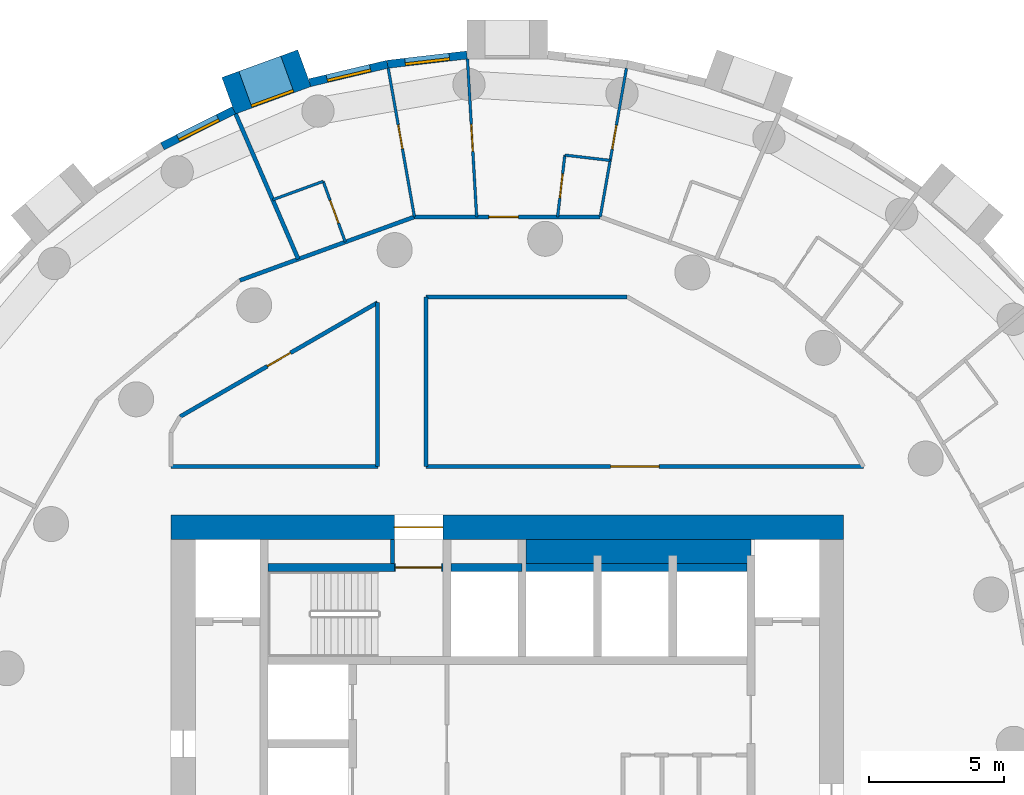
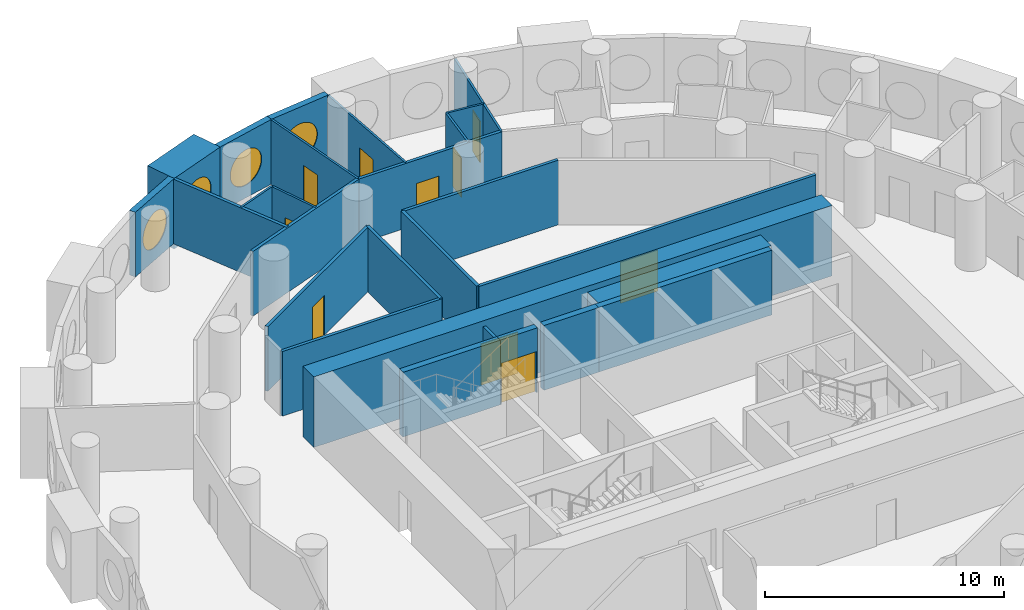
# One storey, part 6 of 9: 28 walls, 10 doors, 4 windows, 14 openings.
"""IFC4 building model written with IfcOpenShell, lengths in metres."""

from ifc_helpers import new_model, si_unit, direction, frame, frame_2d, origin, origin_2d, place, context, subcontext, project, spatial, rectangle, circle, extrude, material, layer, layer_set, type_object, element, fill, save


model = new_model("IFC4")

# Units and contexts
model_context = context("Model", 3, precision=1e-05, world=origin(), true_north=direction((0.0, 1.0)))
body_context = subcontext(model_context, "Body", "Model", "MODEL_VIEW")
ifc_project = project(units=[si_unit("LENGTHUNIT", "METRE"), si_unit("AREAUNIT", "SQUARE_METRE"), si_unit("VOLUMEUNIT", "CUBIC_METRE"), si_unit("PLANEANGLEUNIT", "RADIAN"), si_unit("MASSUNIT", "GRAM", prefix="KILO")], contexts=[model_context])

# Site, building, storey
site_placement = place(None, origin())
site = spatial("IfcSite", under=ifc_project, at=site_placement, CompositionType="ELEMENT")
building_placement = place(site_placement, origin())
building = spatial("IfcBuilding", under=site, at=building_placement, Name="Tracery Tower", CompositionType="ELEMENT")
storey_placement = place(building_placement, frame((0.0, 0.0, 165.60009765625)))
storey = spatial("IfcBuildingStorey", under=building, at=storey_placement, Name="L42", CompositionType="ELEMENT", Elevation=165.60009765625)

# Walls
ifc_material_1 = material(Name="Plasterboard on steel studs", Category="steel")
ifc_layer_1 = layer(ifc_material_1, 0.14990234375)
ifc_layer_set_1 = layer_set([ifc_layer_1], Name="Core room partition 150")
wall_type_1 = type_object("IfcWallType", Name="Core room partition 150", PredefinedType="SOLIDWALL", material=ifc_layer_set_1)
wall_1_placement = place(storey_placement, frame((-4.27490234375, 6.699951171875, 0.0), z_axis=(0.0, 0.0, 1.0), x_axis=(0.0, 1.0, 0.0)))
element("IfcWall", 1, at=wall_1_placement, inside=storey, type_object=wall_type_1, Name="L42 F N room", PredefinedType="SOLIDWALL", context=body_context, shape_type="SweptSolid", body=[
    extrude(rectangle(XDim=0.900146484375, YDim=0.14990234375, at=frame_2d((0.4501953125, 0.0))), origin(), (0.0, 0.0, 1.0), 3.2998046875),
])
ifc_material_2 = material(Name="Concrete C50/60", Category="concrete")
ifc_layer_2 = layer(ifc_material_2, 0.89990234375)
ifc_layer_set_2 = layer_set([ifc_layer_2], Name="Core strip wall 900 C50")
wall_type_2 = type_object("IfcWallType", Name="Core strip wall 900 C50", PredefinedType="SOLIDWALL", material=ifc_layer_set_2)
wall_2_placement = place(storey_placement, frame((0.699951171875, 7.14990234375, 0.0), z_axis=(0.0, 0.0, 1.0), x_axis=(1.0, 0.0, 0.0)))
element("IfcWall", 2, at=wall_2_placement, inside=storey, type_object=wall_type_2, Name="L42 F thick N E", PredefinedType="SOLIDWALL", context=body_context, shape_type="SweptSolid", body=[
    extrude(rectangle(XDim=8.35009765625, YDim=0.89990234375, at=frame_2d((4.175048828125, 0.0))), origin(), (0.0, 0.0, 1.0), 3.2998046875),
])

# Wall, opening, door
ifc_material_3 = material(Name="Concrete C50/60", Category="concrete")
ifc_layer_3 = layer(ifc_material_3, 0.89990234375)
ifc_layer_set_3 = layer_set([ifc_layer_3], Name="Core wall 900 C50")
wall_type_3 = type_object("IfcWallType", Name="Core wall 900 C50", PredefinedType="SOLIDWALL", material=ifc_layer_set_3)
wall_3_placement = place(storey_placement, frame((-12.5, 8.050048828125, 0.0), z_axis=(0.0, 0.0, 1.0), x_axis=(1.0, 0.0, 0.0)))
wall_3 = element("IfcWall", 3, at=wall_3_placement, inside=storey, type_object=wall_type_3, Name="L42 outer N", PredefinedType="SOLIDWALL", context=body_context, shape_type="SweptSolid", body=[
    extrude(rectangle(XDim=25.0, YDim=0.89990234375, at=frame_2d((12.5, 0.0))), origin(), (0.0, 0.0, 1.0), 3.599853515625),
])
opening_1_placement = place(wall_3_placement, frame((8.300048828125, 0.0, 0.0)))
opening_1 = element("IfcOpeningElement", 4, at=opening_1_placement, cuts=wall_3, Name="Opening KD13", PredefinedType="OPENING", context=body_context, shape_type="SweptSolid", body=[
    extrude(rectangle(XDim=1.800048828125, YDim=2.10009765625, at=frame_2d((0.89990234375, 1.050048828125))), frame((0.0, 0.449951171875, 0.0), z_axis=(0.0, -1.0, 0.0), x_axis=(1.0, 0.0, 0.0)), (0.0, 0.0, 1.0), 0.89990234375),
])
ifc_material_4 = material(Name="Steel fire door", Category="steel")
door_type_1 = type_object("IfcDoorType", Name="Core exit door 1800 double", OperationType="NOTDEFINED", PredefinedType="DOOR", material=ifc_material_4)
door_1_placement = place(opening_1_placement, origin())
door_1 = element("IfcDoor", 5, at=door_1_placement, inside=storey, type_object=door_type_1, Name="Core exit door", OperationType="DOUBLE_DOOR_SINGLE_SWING", OverallHeight=2.10009765625, OverallWidth=1.800048828125, PredefinedType="DOOR", context=body_context, shape_type="SweptSolid", body=[
    extrude(rectangle(XDim=1.800048828125, YDim=2.10009765625, at=frame_2d((0.89990234375, 1.050048828125))), frame((0.0, 0.02490234375, 0.0), z_axis=(0.0, -1.0, 0.0), x_axis=(1.0, 0.0, 0.0)), (0.0, 0.0, 1.0), 0.050048828125),
])
fill(opening_1, door_1)

# Wall, opening, window
ifc_material_5 = material(Name="Precast concrete C50/60", Category="concrete")
ifc_layer_4 = layer(ifc_material_5, 1.449951171875)
ifc_layer_set_4 = layer_set([ifc_layer_4], Name="Deep-set bay unit 3000 x 3600, slab edge 300")
wall_type_4 = type_object("IfcWallType", Name="Deep-set bay unit 3000 x 3600, slab edge 300", PredefinedType="ELEMENTEDWALL", material=ifc_layer_set_4)
wall_4_placement = place(storey_placement, frame((-7.544189453125, 25.11328125, -0.300048828125), z_axis=(0.0, 0.0, 1.0), x_axis=(-0.939686455819, -0.342037080957, 0.0)))
wall_4 = element("IfcWall", 6, at=wall_4_placement, inside=storey, type_object=wall_type_4, Name="Deep-set bay unit 17 at L42", PredefinedType="ELEMENTEDWALL", context=body_context, shape_type="SweptSolid", body=[
    extrude(rectangle(XDim=3.0, YDim=1.449951171875, at=frame_2d((1.5, 0.0))), origin(), (0.0, 0.0, 1.0), 3.599853515625),
])
opening_2_placement = place(wall_4_placement, frame((1.5, 0.0, 1.85009765625)))
opening_2 = element("IfcOpeningElement", 7, at=opening_2_placement, cuts=wall_4, Name="Opening WN1", PredefinedType="OPENING", context=body_context, shape_type="SweptSolid", body=[
    extrude(circle(Radius=0.9000244140625, at=origin_2d()), frame((0.0, 0.73486328125, 0.0), z_axis=(0.0, -1.0, 0.0), x_axis=(1.0, 0.0, 0.0)), (0.0, 0.0, 1.0), 1.469970703125),
])
ifc_material_6 = material(Name="Aluminium frame with tinted double glazing", Category="aluminium")
window_type = type_object("IfcWindowType", Name="Round window 1800", PartitioningType="SINGLE_PANEL", PredefinedType="WINDOW", material=ifc_material_6)
window_1_placement = place(opening_2_placement, origin())
window_1 = element("IfcWindow", 8, at=window_1_placement, inside=storey, type_object=window_type, Name="Round window 17 at L42", OverallHeight=1.800048828125, OverallWidth=1.800048828125, PartitioningType="SINGLE_PANEL", PredefinedType="WINDOW", context=body_context, shape_type="SweptSolid", body=[
    extrude(circle(Radius=0.9000244140625, at=origin_2d()), frame((0.0, 0.69482421875, 0.0), z_axis=(0.0, -1.0, 0.0), x_axis=(1.0, 0.0, 0.0)), (0.0, 0.0, 1.0), 0.10009765625),
])
fill(opening_2, window_1)

ifc_material_7 = material(Name="Precast concrete C50/60", Category="concrete")
ifc_layer_5 = layer(ifc_material_7, 0.300048828125)
ifc_layer_set_5 = layer_set([ifc_layer_5], Name="Facade panel 3000 x 3300")
wall_type_5 = type_object("IfcWallType", Name="Facade panel 3000 x 3300", PredefinedType="SOLIDWALL", material=ifc_layer_set_5)
wall_5_placement = place(storey_placement, frame((-1.500732421875, 25.60302734375, 0.0), z_axis=(0.0, 0.0, 1.0), x_axis=(-0.993235542767, -0.116116995244, 0.0)))
wall_5 = element("IfcWall", 9, at=wall_5_placement, inside=storey, type_object=wall_type_5, Name="Facade panel 15 at L42", PredefinedType="SOLIDWALL", context=body_context, shape_type="SweptSolid", body=[
    extrude(rectangle(XDim=2.972900390625, YDim=0.300048828125, at=frame_2d((1.486328125, 0.0))), origin(), (0.0, 0.0, 1.0), 3.2998046875),
])
opening_3_placement = place(wall_5_placement, frame((1.486328125, 0.0, 1.5498046875)))
opening_3 = element("IfcOpeningElement", 10, at=opening_3_placement, cuts=wall_5, Name="Opening WN1", PredefinedType="OPENING", context=body_context, shape_type="SweptSolid", body=[
    extrude(circle(Radius=0.9000244140625, at=origin_2d()), frame((0.0, 0.159912109375, 0.0), z_axis=(0.0, -1.0, 0.0), x_axis=(1.0, 0.0, 0.0)), (0.0, 0.0, 1.0), 0.320068359375),
])
window_2_placement = place(opening_3_placement, origin())
window_2 = element("IfcWindow", 11, at=window_2_placement, inside=storey, type_object=window_type, Name="Round window 15 at L42", OverallHeight=1.800048828125, OverallWidth=1.800048828125, PartitioningType="SINGLE_PANEL", PredefinedType="WINDOW", context=body_context, shape_type="SweptSolid", body=[
    extrude(circle(Radius=0.9000244140625, at=origin_2d()), frame((0.0, 0.1201171875, 0.0), z_axis=(0.0, -1.0, 0.0), x_axis=(1.0, 0.0, 0.0)), (0.0, 0.0, 1.0), 0.10009765625),
])
fill(opening_3, window_2)

wall_6_placement = place(storey_placement, frame((-4.45361328125, 25.2578125, 0.0), z_axis=(0.0, 0.0, 1.0), x_axis=(-0.973049746156, -0.230595298102, 0.0)))
wall_6 = element("IfcWall", 12, at=wall_6_placement, inside=storey, type_object=wall_type_5, Name="Facade panel 16 at L42", PredefinedType="SOLIDWALL", context=body_context, shape_type="SweptSolid", body=[
    extrude(rectangle(XDim=2.972900390625, YDim=0.300048828125, at=frame_2d((1.486328125, 0.0))), origin(), (0.0, 0.0, 1.0), 3.2998046875),
])
opening_4_placement = place(wall_6_placement, frame((1.486328125, 0.0, 1.5498046875)))
opening_4 = element("IfcOpeningElement", 13, at=opening_4_placement, cuts=wall_6, Name="Opening WN1", PredefinedType="OPENING", context=body_context, shape_type="SweptSolid", body=[
    extrude(circle(Radius=0.9000244140625, at=origin_2d()), frame((0.0, 0.159912109375, 0.0), z_axis=(0.0, -1.0, 0.0), x_axis=(1.0, 0.0, 0.0)), (0.0, 0.0, 1.0), 0.320068359375),
])
window_3_placement = place(opening_4_placement, origin())
window_3 = element("IfcWindow", 14, at=window_3_placement, inside=storey, type_object=window_type, Name="Round window 16 at L42", OverallHeight=1.800048828125, OverallWidth=1.800048828125, PartitioningType="SINGLE_PANEL", PredefinedType="WINDOW", context=body_context, shape_type="SweptSolid", body=[
    extrude(circle(Radius=0.9000244140625, at=origin_2d()), frame((0.0, 0.1201171875, 0.0), z_axis=(0.0, -1.0, 0.0), x_axis=(1.0, 0.0, 0.0)), (0.0, 0.0, 1.0), 0.10009765625),
])
fill(opening_4, window_3)

wall_7_placement = place(storey_placement, frame((-10.1669921875, 23.545654296875, 0.0), z_axis=(0.0, 0.0, 1.0), x_axis=(-0.893637442555, -0.448789618045, 0.0)))
wall_7 = element("IfcWall", 15, at=wall_7_placement, inside=storey, type_object=wall_type_5, Name="Facade panel 18 at L42", PredefinedType="SOLIDWALL", context=body_context, shape_type="SweptSolid", body=[
    extrude(rectangle(XDim=2.972900390625, YDim=0.300048828125, at=frame_2d((1.486328125, 0.0))), origin(), (0.0, 0.0, 1.0), 3.2998046875),
])
opening_5_placement = place(wall_7_placement, frame((1.486328125, 0.0, 1.5498046875)))
opening_5 = element("IfcOpeningElement", 16, at=opening_5_placement, cuts=wall_7, Name="Opening WN1", PredefinedType="OPENING", context=body_context, shape_type="SweptSolid", body=[
    extrude(circle(Radius=0.9000244140625, at=origin_2d()), frame((0.0, 0.159912109375, 0.0), z_axis=(0.0, -1.0, 0.0), x_axis=(1.0, 0.0, 0.0)), (0.0, 0.0, 1.0), 0.320068359375),
])
window_4_placement = place(opening_5_placement, origin())
window_4 = element("IfcWindow", 17, at=window_4_placement, inside=storey, type_object=window_type, Name="Round window 18 at L42", OverallHeight=1.800048828125, OverallWidth=1.800048828125, PartitioningType="SINGLE_PANEL", PredefinedType="WINDOW", context=body_context, shape_type="SweptSolid", body=[
    extrude(circle(Radius=0.9000244140625, at=origin_2d()), frame((0.0, 0.1201171875, 0.0), z_axis=(0.0, -1.0, 0.0), x_axis=(1.0, 0.0, 0.0)), (0.0, 0.0, 1.0), 0.10009765625),
])
fill(opening_5, window_4)

# Wall, opening, door
ifc_material_8 = material(Name="Plasterboard on steel studs", Category="steel")
ifc_layer_6 = layer(ifc_material_8, 0.10009765625)
ifc_layer_set_6 = layer_set([ifc_layer_6], Name="Partition 100 stud")
wall_type_6 = type_object("IfcWallType", Name="Partition 100 stud", PredefinedType="PARTITIONING", material=ifc_layer_set_6)
wall_8_placement = place(storey_placement, frame((-1.48291015625, 25.4541015625, 0.0), z_axis=(0.0, 0.0, 1.0), x_axis=(0.058147412668, -0.998308007781, 0.0)))
wall_8 = element("IfcWall", 18, at=wall_8_placement, inside=storey, type_object=wall_type_6, Name="Stud partition RB4-058", PredefinedType="PARTITIONING", context=body_context, shape_type="SweptSolid", body=[
    extrude(rectangle(XDim=5.878173828125, YDim=0.10009765625, at=frame_2d((2.93896484375, 0.0))), origin(), (0.0, 0.0, 1.0), 3.2998046875),
])
opening_6_placement = place(wall_8_placement, frame((2.43896484375, 0.0, 0.0)))
opening_6 = element("IfcOpeningElement", 19, at=opening_6_placement, cuts=wall_8, Name="Opening RB4-16", PredefinedType="OPENING", context=body_context, shape_type="SweptSolid", body=[
    extrude(rectangle(XDim=1.0, YDim=2.0400390625, at=frame_2d((0.5, 1.02001953125))), frame((0.0, 0.050048828125, 0.0), z_axis=(0.0, -1.0, 0.0), x_axis=(1.0, 0.0, 0.0)), (0.0, 0.0, 1.0), 0.10009765625),
])
ifc_material_9 = material(Name="Timber door leaf", Category="wood")
door_type_2 = type_object("IfcDoorType", Name="Door communal room 1000", OperationType="NOTDEFINED", PredefinedType="DOOR", material=ifc_material_9)
door_2_placement = place(opening_6_placement, origin())
door_2 = element("IfcDoor", 20, at=door_2_placement, inside=storey, type_object=door_type_2, Name="Communal room door RB4-16", OperationType="SINGLE_SWING_RIGHT", OverallHeight=2.0400390625, OverallWidth=1.0, PredefinedType="DOOR", context=body_context, shape_type="SweptSolid", body=[
    extrude(rectangle(XDim=1.0, YDim=2.0400390625, at=frame_2d((0.5, 1.02001953125))), frame((0.0, 0.02490234375, 0.0), z_axis=(0.0, -1.0, 0.0), x_axis=(1.0, 0.0, 0.0)), (0.0, 0.0, 1.0), 0.050048828125),
])
fill(opening_6, door_2)

wall_9_placement = place(storey_placement, frame((3.822998046875, 21.68408203125, 0.0), z_axis=(0.0, 0.0, 1.0), x_axis=(0.173893421059, 0.984764478499, 0.0)))
wall_9 = element("IfcWall", 21, at=wall_9_placement, inside=storey, type_object=wall_type_6, Name="Stud partition RB4-061", PredefinedType="PARTITIONING", context=body_context, shape_type="SweptSolid", body=[
    extrude(rectangle(XDim=3.47900390625, YDim=0.10009765625, at=frame_2d((1.739501953125, 0.0))), origin(), (0.0, 0.0, 1.0), 3.2998046875),
])
opening_7_placement = place(wall_9_placement, frame((0.430908203125, 0.0, 0.0)))
opening_7 = element("IfcOpeningElement", 22, at=opening_7_placement, cuts=wall_9, Name="Opening RB4-18", PredefinedType="OPENING", context=body_context, shape_type="SweptSolid", body=[
    extrude(rectangle(XDim=0.89990234375, YDim=2.10009765625, at=frame_2d((0.449951171875, 1.050048828125))), frame((0.0, 0.050048828125, 0.0), z_axis=(0.0, -1.0, 0.0), x_axis=(1.0, 0.0, 0.0)), (0.0, 0.0, 1.0), 0.10009765625),
])
ifc_material_10 = material(Name="Timber door leaf", Category="wood")
door_type_3 = type_object("IfcDoorType", Name="Door bedroom 900", OperationType="NOTDEFINED", PredefinedType="DOOR", material=ifc_material_10)
door_3_placement = place(opening_7_placement, origin())
door_3 = element("IfcDoor", 23, at=door_3_placement, inside=storey, type_object=door_type_3, Name="Bedroom door RB4-18", OperationType="SINGLE_SWING_RIGHT", OverallHeight=2.10009765625, OverallWidth=0.89990234375, PredefinedType="DOOR", context=body_context, shape_type="SweptSolid", body=[
    extrude(rectangle(XDim=0.89990234375, YDim=2.10009765625, at=frame_2d((0.449951171875, 1.050048828125))), frame((0.0, 0.02490234375, 0.0), z_axis=(0.0, -1.0, 0.0), x_axis=(1.0, 0.0, 0.0)), (0.0, 0.0, 1.0), 0.050048828125),
])
fill(opening_7, door_3)

wall_10_placement = place(storey_placement, frame((-4.427978515625, 25.110107421875, 0.0), z_axis=(0.0, 0.0, 1.0), x_axis=(0.17382754149, -0.984776109489, 0.0)))
wall_10 = element("IfcWall", 24, at=wall_10_placement, inside=storey, type_object=wall_type_6, Name="Stud partition RB4-062", PredefinedType="PARTITIONING", context=body_context, shape_type="SweptSolid", body=[
    extrude(rectangle(XDim=5.609619140625, YDim=0.10009765625, at=frame_2d((2.8046875, 0.0))), origin(), (0.0, 0.0, 1.0), 3.2998046875),
])
opening_8_placement = place(wall_10_placement, frame((2.139404296875, 0.0, 0.0)))
opening_8 = element("IfcOpeningElement", 25, at=opening_8_placement, cuts=wall_10, Name="Opening RB4-20", PredefinedType="OPENING", context=body_context, shape_type="SweptSolid", body=[
    extrude(rectangle(XDim=0.89990234375, YDim=2.10009765625, at=frame_2d((0.449951171875, 1.050048828125))), frame((0.0, 0.050048828125, 0.0), z_axis=(0.0, -1.0, 0.0), x_axis=(1.0, 0.0, 0.0)), (0.0, 0.0, 1.0), 0.10009765625),
])
door_4_placement = place(opening_8_placement, origin())
door_4 = element("IfcDoor", 26, at=door_4_placement, inside=storey, type_object=door_type_3, Name="Bedroom door RB4-20", OperationType="SINGLE_SWING_RIGHT", OverallHeight=2.10009765625, OverallWidth=0.89990234375, PredefinedType="DOOR", context=body_context, shape_type="SweptSolid", body=[
    extrude(rectangle(XDim=0.89990234375, YDim=2.10009765625, at=frame_2d((0.449951171875, 1.050048828125))), frame((0.0, 0.02490234375, 0.0), z_axis=(0.0, -1.0, 0.0), x_axis=(1.0, 0.0, 0.0)), (0.0, 0.0, 1.0), 0.050048828125),
])
fill(opening_8, door_4)

# Wall
ifc_material_11 = material(Name="Plasterboard on steel studs", Category="steel")
ifc_layer_7 = layer(ifc_material_11, 0.10009765625)
ifc_layer_set_7 = layer_set([ifc_layer_7], Name="Partition 100 wet wall")
wall_type_7 = type_object("IfcWallType", Name="Partition 100 wet wall", PredefinedType="PARTITIONING", material=ifc_layer_set_7)
wall_11_placement = place(storey_placement, frame((2.136962890625, 21.881103515625, 0.0), z_axis=(0.0, 0.0, 1.0), x_axis=(0.993241601719, -0.11606515676, 0.0)))
element("IfcWall", 27, at=wall_11_placement, inside=storey, type_object=wall_type_7, Name="Wet wall RB4-059", PredefinedType="PARTITIONING", context=body_context, shape_type="SweptSolid", body=[
    extrude(rectangle(XDim=1.697509765625, YDim=0.10009765625, at=frame_2d((0.8486328125, 0.0))), origin(), (0.0, 0.0, 1.0), 3.2998046875),
])

# Wall, opening, door
wall_12_placement = place(storey_placement, frame((1.868896484375, 19.5859375, 0.0), z_axis=(0.0, 0.0, 1.0), x_axis=(0.116007517533, 0.993248335451, 0.0)))
wall_12 = element("IfcWall", 28, at=wall_12_placement, inside=storey, type_object=wall_type_7, Name="Wet wall RB4-060", PredefinedType="PARTITIONING", context=body_context, shape_type="SweptSolid", body=[
    extrude(rectangle(XDim=2.310791015625, YDim=0.10009765625, at=frame_2d((1.1552734375, 0.0))), origin(), (0.0, 0.0, 1.0), 3.2998046875),
])
opening_9_placement = place(wall_12_placement, frame((0.70556640625, 0.0, 0.0)))
opening_9 = element("IfcOpeningElement", 29, at=opening_9_placement, cuts=wall_12, Name="Opening RB4-17", PredefinedType="OPENING", context=body_context, shape_type="SweptSolid", body=[
    extrude(rectangle(XDim=0.89990234375, YDim=2.0, at=frame_2d((0.449951171875, 1.0))), frame((0.0, 0.050048828125, 0.0), z_axis=(0.0, -1.0, 0.0), x_axis=(1.0, 0.0, 0.0)), (0.0, 0.0, 1.0), 0.10009765625),
])
ifc_material_12 = material(Name="Timber door leaf", Category="wood")
door_type_4 = type_object("IfcDoorType", Name="Door shower room 900", OperationType="NOTDEFINED", PredefinedType="DOOR", material=ifc_material_12)
door_5_placement = place(opening_9_placement, origin())
door_5 = element("IfcDoor", 30, at=door_5_placement, inside=storey, type_object=door_type_4, Name="Shower room door RB4-17", OperationType="SINGLE_SWING_LEFT", OverallHeight=2.0, OverallWidth=0.89990234375, PredefinedType="DOOR", context=body_context, shape_type="SweptSolid", body=[
    extrude(rectangle(XDim=0.89990234375, YDim=2.0, at=frame_2d((0.449951171875, 1.0))), frame((0.0, 0.02490234375, 0.0), z_axis=(0.0, -1.0, 0.0), x_axis=(1.0, 0.0, 0.0)), (0.0, 0.0, 1.0), 0.050048828125),
])
fill(opening_9, door_5)

# Wall
wall_13_placement = place(storey_placement, frame((3.452880859375, 19.5859375, 0.0), z_axis=(0.0, 0.0, 1.0), x_axis=(0.173719962819, 0.984795092655, 0.0)))
element("IfcWall", 31, at=wall_13_placement, inside=storey, type_object=wall_type_7, Name="Wet wall RB4-063", PredefinedType="PARTITIONING", context=body_context, shape_type="SweptSolid", body=[
    extrude(rectangle(XDim=2.130615234375, YDim=0.10009765625, at=frame_2d((1.0654296875, 0.0))), origin(), (0.0, 0.0, 1.0), 3.2998046875),
])

# Wall, opening, door
wall_14_placement = place(storey_placement, frame((-6.844970703125, 20.905029296875, 0.0), z_axis=(0.0, 0.0, 1.0), x_axis=(0.342110593602, -0.939659694648, 0.0)))
wall_14 = element("IfcWall", 32, at=wall_14_placement, inside=storey, type_object=wall_type_7, Name="Wet wall RB4-066", PredefinedType="PARTITIONING", context=body_context, shape_type="SweptSolid", body=[
    extrude(rectangle(XDim=2.39990234375, YDim=0.10009765625, at=frame_2d((1.199951171875, 0.0))), origin(), (0.0, 0.0, 1.0), 3.2998046875),
])
opening_10_placement = place(wall_14_placement, frame((0.749755859375, 0.0, 0.0)))
opening_10 = element("IfcOpeningElement", 33, at=opening_10_placement, cuts=wall_14, Name="Opening RB4-21", PredefinedType="OPENING", context=body_context, shape_type="SweptSolid", body=[
    extrude(rectangle(XDim=0.89990234375, YDim=2.0400390625, at=frame_2d((0.449951171875, 1.02001953125))), frame((0.0, 0.050048828125, 0.0), z_axis=(0.0, -1.0, 0.0), x_axis=(1.0, 0.0, 0.0)), (0.0, 0.0, 1.0), 0.10009765625),
])
ifc_material_13 = material(Name="Timber door leaf", Category="wood")
door_type_5 = type_object("IfcDoorType", Name="Door en-suite 900", OperationType="NOTDEFINED", PredefinedType="DOOR", material=ifc_material_13)
door_6_placement = place(opening_10_placement, origin())
door_6 = element("IfcDoor", 34, at=door_6_placement, inside=storey, type_object=door_type_5, Name="En-suite door RB4-21", OperationType="SINGLE_SWING_RIGHT", OverallHeight=2.0400390625, OverallWidth=0.89990234375, PredefinedType="DOOR", context=body_context, shape_type="SweptSolid", body=[
    extrude(rectangle(XDim=0.89990234375, YDim=2.0400390625, at=frame_2d((0.449951171875, 1.02001953125))), frame((0.0, 0.02490234375, 0.0), z_axis=(0.0, -1.0, 0.0), x_axis=(1.0, 0.0, 0.0)), (0.0, 0.0, 1.0), 0.050048828125),
])
fill(opening_10, door_6)

# Walls
wall_15_placement = place(storey_placement, frame((-8.722900390625, 20.221923828125, 0.0), z_axis=(0.0, 0.0, 1.0), x_axis=(0.939757747305, 0.341841156651, 0.0)))
element("IfcWall", 35, at=wall_15_placement, inside=storey, type_object=wall_type_7, Name="Wet wall RB4-067", PredefinedType="PARTITIONING", context=body_context, shape_type="SweptSolid", body=[
    extrude(rectangle(XDim=1.998291015625, YDim=0.10009765625, at=frame_2d((0.9990234375, 0.0))), origin(), (0.0, 0.0, 1.0), 3.2998046875),
])
ifc_material_14 = material(Name="Plasterboard on steel studs", Category="steel")
ifc_layer_8 = layer(ifc_material_14, 0.14990234375)
ifc_layer_set_8 = layer_set([ifc_layer_8], Name="Partition 150 acoustic unit wall")
wall_type_8 = type_object("IfcWallType", Name="Partition 150 acoustic unit wall", PredefinedType="PARTITIONING", material=ifc_layer_set_8)
wall_16_placement = place(storey_placement, frame((-10.09912109375, 23.412109375, 0.0), z_axis=(0.0, 0.0, 1.0), x_axis=(0.396103469133, -0.918205882001, 0.0)))
element("IfcWall", 36, at=wall_16_placement, inside=storey, type_object=wall_type_8, Name="Unit wall RB4-068", PredefinedType="PARTITIONING", context=body_context, shape_type="SweptSolid", body=[
    extrude(rectangle(XDim=5.87890625, YDim=0.14990234375, at=frame_2d((2.939453125, 0.0))), origin(), (0.0, 0.0, 1.0), 3.2998046875),
])
ifc_material_15 = material(Name="Plasterboard on steel studs", Category="steel")
ifc_layer_9 = layer(ifc_material_15, 0.14990234375)
ifc_layer_set_9 = layer_set([ifc_layer_9], Name="Partition 150 corridor wall")
wall_type_9 = type_object("IfcWallType", Name="Partition 150 corridor wall", PredefinedType="PARTITIONING", material=ifc_layer_set_9)
wall_17_placement = place(storey_placement, frame((-12.50390625, 10.300048828125, 0.0), z_axis=(0.0, 0.0, 1.0), x_axis=(1.0, 0.0, 0.0)))
element("IfcWall", 37, at=wall_17_placement, inside=storey, type_object=wall_type_9, Name="Corridor wall RB4-001", PredefinedType="PARTITIONING", context=body_context, shape_type="SweptSolid", body=[
    extrude(rectangle(XDim=7.68701171875, YDim=0.14990234375, at=frame_2d((3.843505859375, 0.0))), origin(), (0.0, 0.0, 1.0), 3.2998046875),
])

# Wall, opening, door
wall_18_placement = place(storey_placement, frame((-3.02490234375, 10.300048828125, 0.0), z_axis=(0.0, 0.0, 1.0), x_axis=(1.0, 0.0, 0.0)))
wall_18 = element("IfcWall", 38, at=wall_18_placement, inside=storey, type_object=wall_type_9, Name="Corridor wall RB4-002", PredefinedType="PARTITIONING", context=body_context, shape_type="SweptSolid", body=[
    extrude(rectangle(XDim=16.261962890625, YDim=0.14990234375, at=frame_2d((8.130859375, 0.0))), origin(), (0.0, 0.0, 1.0), 3.2998046875),
])
opening_11_placement = place(wall_18_placement, frame((6.863037109375, 0.0, 0.0)))
opening_11 = element("IfcOpeningElement", 39, at=opening_11_placement, cuts=wall_18, Name="Opening RB4-02", PredefinedType="OPENING", context=body_context, shape_type="SweptSolid", body=[
    extrude(rectangle(XDim=1.800048828125, YDim=2.10009765625, at=frame_2d((0.89990234375, 1.050048828125))), frame((0.0, 0.074951171875, 0.0), z_axis=(0.0, -1.0, 0.0), x_axis=(1.0, 0.0, 0.0)), (0.0, 0.0, 1.0), 0.14990234375),
])
ifc_material_16 = material(Name="Timber door leaf", Category="wood")
door_type_6 = type_object("IfcDoorType", Name="Door double lounge 1800", OperationType="NOTDEFINED", PredefinedType="DOOR", material=ifc_material_16)
door_7_placement = place(opening_11_placement, origin())
door_7 = element("IfcDoor", 40, at=door_7_placement, inside=storey, type_object=door_type_6, Name="Double lounge door RB4-02", OperationType="DOUBLE_DOOR_SINGLE_SWING", OverallHeight=2.10009765625, OverallWidth=1.800048828125, PredefinedType="DOOR", context=body_context, shape_type="SweptSolid", body=[
    extrude(rectangle(XDim=1.800048828125, YDim=2.10009765625, at=frame_2d((0.89990234375, 1.050048828125))), frame((0.0, 0.02490234375, 0.0), z_axis=(0.0, -1.0, 0.0), x_axis=(1.0, 0.0, 0.0)), (0.0, 0.0, 1.0), 0.050048828125),
])
fill(opening_11, door_7)

# Wall
wall_19_placement = place(storey_placement, frame((-4.821044921875, 10.300048828125, 0.0), z_axis=(0.0, 0.0, 1.0), x_axis=(0.0, 1.0, 0.0)))
element("IfcWall", 41, at=wall_19_placement, inside=storey, type_object=wall_type_9, Name="Corridor wall RB4-013", PredefinedType="PARTITIONING", context=body_context, shape_type="SweptSolid", body=[
    extrude(rectangle(XDim=6.100830078125, YDim=0.14990234375, at=frame_2d((3.05029296875, 0.0))), origin(), (0.0, 0.0, 1.0), 3.2998046875),
])

# Wall, opening, door
wall_20_placement = place(storey_placement, frame((-12.162109375, 12.162109375, 0.0), z_axis=(0.0, 0.0, 1.0), x_axis=(0.866004766557, 0.500035743023, 0.0)))
wall_20 = element("IfcWall", 42, at=wall_20_placement, inside=storey, type_object=wall_type_9, Name="Corridor wall RB4-014", PredefinedType="PARTITIONING", context=body_context, shape_type="SweptSolid", body=[
    extrude(rectangle(XDim=8.47705078125, YDim=0.14990234375, at=frame_2d((4.238525390625, 0.0))), origin(), (0.0, 0.0, 1.0), 3.2998046875),
])
opening_12_placement = place(wall_20_placement, frame((3.739013671875, 0.0, 0.0)))
opening_12 = element("IfcOpeningElement", 43, at=opening_12_placement, cuts=wall_20, Name="Opening RB4-01", PredefinedType="OPENING", context=body_context, shape_type="SweptSolid", body=[
    extrude(rectangle(XDim=1.0, YDim=2.0400390625, at=frame_2d((0.5, 1.02001953125))), frame((0.0, 0.074951171875, 0.0), z_axis=(0.0, -1.0, 0.0), x_axis=(1.0, 0.0, 0.0)), (0.0, 0.0, 1.0), 0.14990234375),
])
door_8_placement = place(opening_12_placement, origin())
door_8 = element("IfcDoor", 44, at=door_8_placement, inside=storey, type_object=door_type_2, Name="Communal room door RB4-01", OperationType="SINGLE_SWING_LEFT", OverallHeight=2.0400390625, OverallWidth=1.0, PredefinedType="DOOR", context=body_context, shape_type="SweptSolid", body=[
    extrude(rectangle(XDim=1.0, YDim=2.0400390625, at=frame_2d((0.5, 1.02001953125))), frame((0.0, 0.02490234375, 0.0), z_axis=(0.0, -1.0, 0.0), x_axis=(1.0, 0.0, 0.0)), (0.0, 0.0, 1.0), 0.050048828125),
])
fill(opening_12, door_8)

# Walls
wall_21_placement = place(storey_placement, frame((-3.02099609375, 16.614013671875, 0.0), z_axis=(0.0, 0.0, 1.0), x_axis=(1.0, 0.0, 0.0)))
element("IfcWall", 45, at=wall_21_placement, inside=storey, type_object=wall_type_9, Name="Corridor wall RB4-016", PredefinedType="PARTITIONING", context=body_context, shape_type="SweptSolid", body=[
    extrude(rectangle(XDim=7.472900390625, YDim=0.14990234375, at=frame_2d((3.736328125, 0.0))), origin(), (0.0, 0.0, 1.0), 3.2998046875),
])
wall_22_placement = place(storey_placement, frame((-3.02099609375, 10.300048828125, 0.0), z_axis=(0.0, 0.0, 1.0), x_axis=(0.0, 1.0, 0.0)))
element("IfcWall", 46, at=wall_22_placement, inside=storey, type_object=wall_type_9, Name="Corridor wall RB4-017", PredefinedType="PARTITIONING", context=body_context, shape_type="SweptSolid", body=[
    extrude(rectangle(XDim=6.31396484375, YDim=0.14990234375, at=frame_2d((3.156982421875, 0.0))), origin(), (0.0, 0.0, 1.0), 3.2998046875),
])

# Wall, opening, door
wall_23_placement = place(storey_placement, frame((-3.452880859375, 19.5859375, 0.0), z_axis=(0.0, 0.0, 1.0), x_axis=(1.0, 0.0, 0.0)))
wall_23 = element("IfcWall", 47, at=wall_23_placement, inside=storey, type_object=wall_type_9, Name="Corridor wall RB4-019", PredefinedType="PARTITIONING", context=body_context, shape_type="SweptSolid", body=[
    extrude(rectangle(XDim=6.90576171875, YDim=0.14990234375, at=frame_2d((3.452880859375, 0.0))), origin(), (0.0, 0.0, 1.0), 3.2998046875),
])
opening_13_placement = place(wall_23_placement, frame((2.76708984375, 0.0, 0.0)))
opening_13 = element("IfcOpeningElement", 48, at=opening_13_placement, cuts=wall_23, Name="Opening RB4-15", PredefinedType="OPENING", context=body_context, shape_type="SweptSolid", body=[
    extrude(rectangle(XDim=1.10009765625, YDim=2.10009765625, at=frame_2d((0.550048828125, 1.050048828125))), frame((0.0, 0.074951171875, 0.0), z_axis=(0.0, -1.0, 0.0), x_axis=(1.0, 0.0, 0.0)), (0.0, 0.0, 1.0), 0.14990234375),
])
ifc_material_17 = material(Name="Timber door leaf", Category="wood")
door_type_7 = type_object("IfcDoorType", Name="Door cluster entrance 1100", OperationType="NOTDEFINED", PredefinedType="DOOR", material=ifc_material_17)
door_9_placement = place(opening_13_placement, origin())
door_9 = element("IfcDoor", 49, at=door_9_placement, inside=storey, type_object=door_type_7, Name="Cluster entrance door RB4-15", OperationType="SINGLE_SWING_LEFT", OverallHeight=2.10009765625, OverallWidth=1.10009765625, PredefinedType="DOOR", context=body_context, shape_type="SweptSolid", body=[
    extrude(rectangle(XDim=1.10009765625, YDim=2.10009765625, at=frame_2d((0.550048828125, 1.050048828125))), frame((0.0, 0.02490234375, 0.0), z_axis=(0.0, -1.0, 0.0), x_axis=(1.0, 0.0, 0.0)), (0.0, 0.0, 1.0), 0.050048828125),
])
fill(opening_13, door_9)

# Walls
wall_24_placement = place(storey_placement, frame((-9.9443359375, 17.223876953125, 0.0), z_axis=(0.0, 0.0, 1.0), x_axis=(0.939722202107, 0.341938858377, 0.0)))
element("IfcWall", 50, at=wall_24_placement, inside=storey, type_object=wall_type_9, Name="Corridor wall RB4-020", PredefinedType="PARTITIONING", context=body_context, shape_type="SweptSolid", body=[
    extrude(rectangle(XDim=6.907958984375, YDim=0.14990234375, at=frame_2d((3.4541015625, 0.0))), origin(), (0.0, 0.0, 1.0), 3.2998046875),
])
ifc_material_18 = material(Name="Concrete C50/60", Category="concrete")
ifc_layer_10 = layer(ifc_material_18, 0.300048828125)
ifc_layer_set_10 = layer_set([ifc_layer_10], Name="Stair wall 300 C50")
wall_type_10 = type_object("IfcWallType", Name="Stair wall 300 C50", PredefinedType="SOLIDWALL", material=ifc_layer_set_10)
wall_25_placement = place(storey_placement, frame((-8.89990234375, 6.550048828125, 0.0), z_axis=(0.0, 0.0, 1.0), x_axis=(1.0, 0.0, 0.0)))
element("IfcWall", 51, at=wall_25_placement, inside=storey, type_object=wall_type_10, Name="L42 F N W", PredefinedType="SOLIDWALL", context=body_context, shape_type="SweptSolid", body=[
    extrude(rectangle(XDim=4.699951171875, YDim=0.300048828125, at=frame_2d((2.35009765625, 0.0))), origin(), (0.0, 0.0, 1.0), 3.2998046875),
])

# Wall, opening, door
wall_26_placement = place(storey_placement, frame((-4.199951171875, 6.550048828125, 0.0), z_axis=(0.0, 0.0, 1.0), x_axis=(1.0, 0.0, 0.0)))
wall_26 = element("IfcWall", 52, at=wall_26_placement, inside=storey, type_object=wall_type_10, Name="L42 F stair N", PredefinedType="SOLIDWALL", context=body_context, shape_type="SweptSolid", body=[
    extrude(rectangle(XDim=1.800048828125, YDim=0.300048828125, at=frame_2d((0.89990234375, 0.0))), origin(), (0.0, 0.0, 1.0), 3.2998046875),
])
opening_14_placement = place(wall_26_placement, frame((0.050048828125, 0.0, 0.0)))
opening_14 = element("IfcOpeningElement", 53, at=opening_14_placement, cuts=wall_26, Name="Opening KD3", PredefinedType="OPENING", context=body_context, shape_type="SweptSolid", body=[
    extrude(rectangle(XDim=1.699951171875, YDim=2.10009765625, at=frame_2d((0.85009765625, 1.050048828125))), frame((0.0, 0.14990234375, 0.0), z_axis=(0.0, -1.0, 0.0), x_axis=(1.0, 0.0, 0.0)), (0.0, 0.0, 1.0), 0.300048828125),
])
ifc_material_19 = material(Name="Steel fire door", Category="steel")
door_type_8 = type_object("IfcDoorType", Name="Core stair door 1700 double", OperationType="NOTDEFINED", PredefinedType="DOOR", material=ifc_material_19)
door_10_placement = place(opening_14_placement, origin())
door_10 = element("IfcDoor", 54, at=door_10_placement, inside=storey, type_object=door_type_8, Name="Stair door vest", OperationType="DOUBLE_DOOR_SINGLE_SWING", OverallHeight=2.10009765625, OverallWidth=1.699951171875, PredefinedType="DOOR", context=body_context, shape_type="SweptSolid", body=[
    extrude(rectangle(XDim=1.699951171875, YDim=2.10009765625, at=frame_2d((0.85009765625, 1.050048828125))), frame((0.0, 0.02490234375, 0.0), z_axis=(0.0, -1.0, 0.0), x_axis=(1.0, 0.0, 0.0)), (0.0, 0.0, 1.0), 0.050048828125),
])
fill(opening_14, door_10)

# Walls
wall_27_placement = place(storey_placement, frame((-2.10009765625, 6.550048828125, 0.0), z_axis=(0.0, 0.0, 1.0), x_axis=(1.0, 0.0, 0.0)))
element("IfcWall", 55, at=wall_27_placement, inside=storey, type_object=wall_type_10, Name="L42 F N E1", PredefinedType="SOLIDWALL", context=body_context, shape_type="SweptSolid", body=[
    extrude(rectangle(XDim=2.650146484375, YDim=0.300048828125, at=frame_2d((1.3251953125, 0.0))), origin(), (0.0, 0.0, 1.0), 3.2998046875),
])
wall_28_placement = place(storey_placement, frame((0.550048828125, 6.550048828125, 0.0), z_axis=(0.0, 0.0, 1.0), x_axis=(1.0, 0.0, 0.0)))
element("IfcWall", 56, at=wall_28_placement, inside=storey, type_object=wall_type_10, Name="L42 F stair strip N E", PredefinedType="SOLIDWALL", context=body_context, shape_type="SweptSolid", body=[
    extrude(rectangle(XDim=8.349853515625, YDim=0.300048828125, at=frame_2d((4.1748046875, 0.0))), origin(), (0.0, 0.0, 1.0), 3.2998046875),
])

save(model, "model.ifc")
